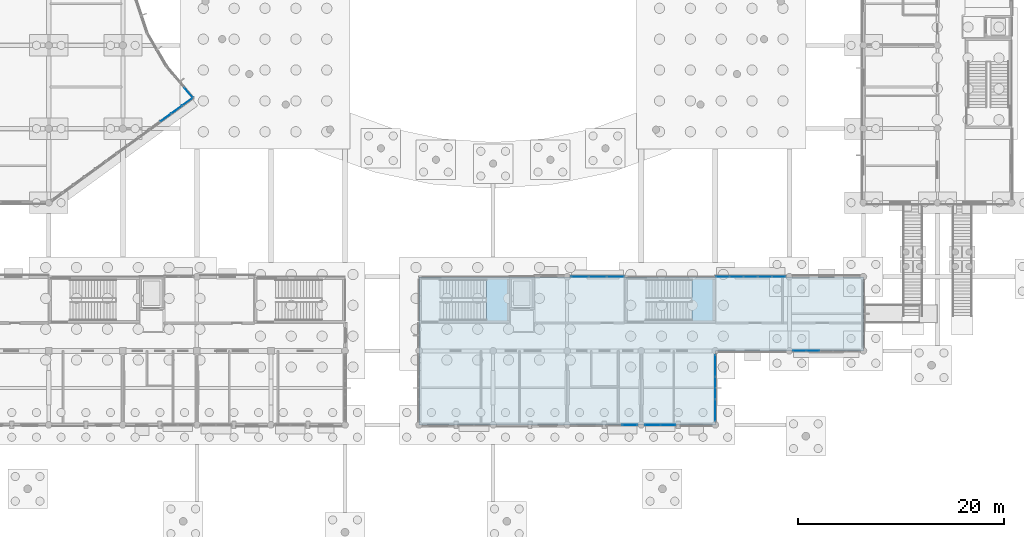
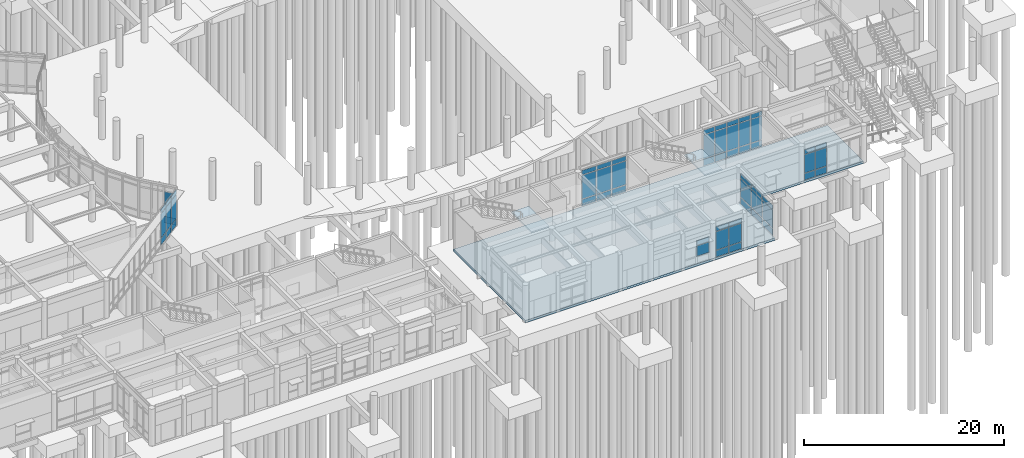
# One storey, part 44 of 103: 58 plates, 3 slabs, 10 elements without a shape of their own.
"""IFC4 building model written with IfcOpenShell, lengths in metres."""

from ifc_helpers import new_model, si_unit, direction, frame, origin, origin_2d, place, context, subcontext, project, spatial, polyline, rectangle, outline, extrude, material, layer, layer_set, type_object, element, aggregate, save


model = new_model("IFC4")

# Units and contexts
model_context = context("Model", 3, precision=1e-05, world=origin(), true_north=direction((0.0, 1.0)))
body_context = subcontext(model_context, "Body", "Model", "MODEL_VIEW")
ifc_project = project(units=[si_unit("LENGTHUNIT", "METRE"), si_unit("AREAUNIT", "SQUARE_METRE"), si_unit("VOLUMEUNIT", "CUBIC_METRE"), si_unit("PLANEANGLEUNIT", "RADIAN"), si_unit("MASSUNIT", "GRAM", prefix="KILO")], contexts=[model_context])

# Site, building, storey
site_placement = place(None, origin())
site = spatial("IfcSite", under=ifc_project, at=site_placement, CompositionType="ELEMENT")
building_placement = place(site_placement, origin())
building = spatial("IfcBuilding", under=site, at=building_placement, Name="Namkhue Oval Health Centre", CompositionType="ELEMENT")
storey_placement = place(building_placement, origin())
storey = spatial("IfcBuildingStorey", under=building, at=storey_placement, Name="L00", CompositionType="ELEMENT", Elevation=0.0)

# Curtain wall, plates
ifc_material_1 = material(Name="Anodised aluminium EN AW-6063 T6", Category="aluminium")
ifc_layer_1 = layer(ifc_material_1, 0.159912109375)
ifc_layer_set_1 = layer_set([ifc_layer_1], Name="Anodised aluminium EN AW-6063 T6")
curtain_wall_type_1 = type_object("IfcCurtainWallType", Name="UNITISED CURTAIN WALL M1200", PredefinedType="NOTDEFINED", material=ifc_layer_set_1)
curtain_wall_1_placement = place(storey_placement, origin())
curtain_wall_1 = element("IfcCurtainWall", 1, at=curtain_wall_1_placement, inside=storey, type_object=curtain_wall_type_1, Name="Volume V5 L00 Unitised Curtain Wall 181", PredefinedType="NOTDEFINED")
ifc_material_2 = material(Name="Thermally broken low-E laminated double glazing", Category="glass")
ifc_layer_2 = layer(ifc_material_2, 0.02587890625)
ifc_layer_set_2 = layer_set([ifc_layer_2], Name="Thermally broken low-E laminated double glazing")
plate_type_1 = type_object("IfcPlateType", Name="CURTAIN WALL GLAZED PANEL 26", PredefinedType="CURTAIN_PANEL", material=ifc_layer_set_2)
plate_1_placement = place(storey_placement, frame((130.604248046875, 21.60009765625, 0.06494140625), z_axis=(0.0, 0.0, 1.0), x_axis=(1.0, 0.0, 0.0)))
plate_1 = element("IfcPlate", 2, at=plate_1_placement, type_object=plate_type_1, Name="CW-01 panel 1.1", PredefinedType="CURTAIN_PANEL", context=body_context, shape_type="SweptSolid", body=[
    extrude(rectangle(XDim=1.20849609375, YDim=0.02587890625, at=origin_2d()), origin(), (0.0, 0.0, 1.0), 0.802490234375),
])
plate_2_placement = place(storey_placement, frame((130.604248046875, 21.60009765625, 0.9326171875), z_axis=(0.0, 0.0, 1.0), x_axis=(1.0, 0.0, 0.0)))
plate_2 = element("IfcPlate", 3, at=plate_2_placement, type_object=plate_type_1, Name="CW-01 panel 1.2", PredefinedType="CURTAIN_PANEL", context=body_context, shape_type="SweptSolid", body=[
    extrude(rectangle(XDim=1.20849609375, YDim=0.02587890625, at=origin_2d()), origin(), (0.0, 0.0, 1.0), 2.22998046875),
])
plate_3_placement = place(storey_placement, frame((130.604248046875, 21.60009765625, 3.2275390625), z_axis=(0.0, 0.0, 1.0), x_axis=(1.0, 0.0, 0.0)))
plate_3 = element("IfcPlate", 4, at=plate_3_placement, type_object=plate_type_1, Name="CW-01 panel 1.3", PredefinedType="CURTAIN_PANEL", context=body_context, shape_type="SweptSolid", body=[
    extrude(rectangle(XDim=1.20849609375, YDim=0.02587890625, at=origin_2d()), origin(), (0.0, 0.0, 1.0), 0.552490234375),
])
plate_4_placement = place(storey_placement, frame((131.89404296875, 21.60009765625, 0.06494140625), z_axis=(0.0, 0.0, 1.0), x_axis=(1.0, 0.0, 0.0)))
plate_4 = element("IfcPlate", 5, at=plate_4_placement, type_object=plate_type_1, Name="CW-01 panel 2.1", PredefinedType="CURTAIN_PANEL", context=body_context, shape_type="SweptSolid", body=[
    extrude(rectangle(XDim=1.240966796875, YDim=0.02587890625, at=origin_2d()), origin(), (0.0, 0.0, 1.0), 0.802490234375),
])
plate_5_placement = place(storey_placement, frame((131.89404296875, 21.60009765625, 0.9326171875), z_axis=(0.0, 0.0, 1.0), x_axis=(1.0, 0.0, 0.0)))
plate_5 = element("IfcPlate", 6, at=plate_5_placement, type_object=plate_type_1, Name="CW-01 panel 2.2", PredefinedType="CURTAIN_PANEL", context=body_context, shape_type="SweptSolid", body=[
    extrude(rectangle(XDim=1.240966796875, YDim=0.02587890625, at=origin_2d()), origin(), (0.0, 0.0, 1.0), 2.22998046875),
])
plate_6_placement = place(storey_placement, frame((131.89404296875, 21.60009765625, 3.2275390625), z_axis=(0.0, 0.0, 1.0), x_axis=(1.0, 0.0, 0.0)))
plate_6 = element("IfcPlate", 7, at=plate_6_placement, type_object=plate_type_1, Name="CW-01 panel 2.3", PredefinedType="CURTAIN_PANEL", context=body_context, shape_type="SweptSolid", body=[
    extrude(rectangle(XDim=1.240966796875, YDim=0.02587890625, at=origin_2d()), origin(), (0.0, 0.0, 1.0), 0.552490234375),
])
aggregate(curtain_wall_1, [plate_1, plate_2, plate_3, plate_4, plate_5, plate_6])

ifc_layer_3 = layer(ifc_material_1, 0.159912109375)
ifc_layer_set_3 = layer_set([ifc_layer_3], Name="Anodised aluminium EN AW-6063 T6")
curtain_wall_type_2 = type_object("IfcCurtainWallType", Name="UNITISED CURTAIN WALL M1350", PredefinedType="NOTDEFINED", material=ifc_layer_set_3)
curtain_wall_2_placement = place(storey_placement, origin())
curtain_wall_2 = element("IfcCurtainWall", 8, at=curtain_wall_2_placement, inside=storey, type_object=curtain_wall_type_2, Name="Volume V1 L00 Unitised Curtain Wall 2", PredefinedType="NOTDEFINED")
ifc_layer_4 = layer(ifc_material_2, 0.028076171875)
ifc_layer_set_4 = layer_set([ifc_layer_4], Name="Thermally broken low-E laminated double glazing")
plate_type_2 = type_object("IfcPlateType", Name="CURTAIN WALL GLAZED PANEL 28", PredefinedType="CURTAIN_PANEL", material=ifc_layer_set_4)
plate_7_placement = place(storey_placement, frame((68.974365234375, 44.27880859375, 0.074951171875), z_axis=(0.0, 0.0, 1.0), x_axis=(0.808513999682, 0.588476942894, 0.0)))
plate_7 = element("IfcPlate", 9, at=plate_7_placement, type_object=plate_type_2, Name="CW-02 panel 11.1", PredefinedType="CURTAIN_PANEL", context=body_context, shape_type="SweptSolid", body=[
    extrude(rectangle(XDim=1.23291015625, YDim=0.028076171875, at=origin_2d()), origin(), (0.0, 0.0, 1.0), 0.78759765625),
])
plate_8_placement = place(storey_placement, frame((68.974365234375, 44.27880859375, 0.9375), z_axis=(0.0, 0.0, 1.0), x_axis=(0.808513999682, 0.588476942894, 0.0)))
plate_8 = element("IfcPlate", 10, at=plate_8_placement, type_object=plate_type_2, Name="CW-02 panel 11.2", PredefinedType="CURTAIN_PANEL", context=body_context, shape_type="SweptSolid", body=[
    extrude(rectangle(XDim=1.23291015625, YDim=0.028076171875, at=origin_2d()), origin(), (0.0, 0.0, 1.0), 2.93994140625),
])
plate_9_placement = place(storey_placement, frame((68.974365234375, 44.27880859375, 3.952392578125), z_axis=(0.0, 0.0, 1.0), x_axis=(0.808513999682, 0.588476942894, 0.0)))
plate_9 = element("IfcPlate", 11, at=plate_9_placement, type_object=plate_type_2, Name="CW-02 panel 11.3", PredefinedType="CURTAIN_PANEL", context=body_context, shape_type="SweptSolid", body=[
    extrude(rectangle(XDim=1.23291015625, YDim=0.028076171875, at=origin_2d()), origin(), (0.0, 0.0, 1.0), 0.53759765625),
])
plate_10_placement = place(storey_placement, frame((70.03173828125, 45.048583984375, 0.074951171875), z_axis=(0.0, 0.0, 1.0), x_axis=(0.808513999682, 0.588476942894, 0.0)))
plate_10 = element("IfcPlate", 12, at=plate_10_placement, type_object=plate_type_2, Name="CW-02 panel 12.1", PredefinedType="CURTAIN_PANEL", context=body_context, shape_type="SweptSolid", body=[
    extrude(rectangle(XDim=1.23291015625, YDim=0.028076171875, at=origin_2d()), origin(), (0.0, 0.0, 1.0), 0.78759765625),
])
plate_11_placement = place(storey_placement, frame((70.03173828125, 45.048583984375, 0.9375), z_axis=(0.0, 0.0, 1.0), x_axis=(0.808513999682, 0.588476942894, 0.0)))
plate_11 = element("IfcPlate", 13, at=plate_11_placement, type_object=plate_type_2, Name="CW-02 panel 12.2", PredefinedType="CURTAIN_PANEL", context=body_context, shape_type="SweptSolid", body=[
    extrude(rectangle(XDim=1.23291015625, YDim=0.028076171875, at=origin_2d()), origin(), (0.0, 0.0, 1.0), 2.93994140625),
])
plate_12_placement = place(storey_placement, frame((70.03173828125, 45.048583984375, 3.952392578125), z_axis=(0.0, 0.0, 1.0), x_axis=(0.808513999682, 0.588476942894, 0.0)))
plate_12 = element("IfcPlate", 14, at=plate_12_placement, type_object=plate_type_2, Name="CW-02 panel 12.3", PredefinedType="CURTAIN_PANEL", context=body_context, shape_type="SweptSolid", body=[
    extrude(rectangle(XDim=1.23291015625, YDim=0.028076171875, at=origin_2d()), origin(), (0.0, 0.0, 1.0), 0.53759765625),
])
plate_13_placement = place(storey_placement, frame((71.07421875, 45.80712890625, 0.074951171875), z_axis=(0.0, 0.0, 1.0), x_axis=(0.808513999682, 0.588476942894, 0.0)))
plate_13 = element("IfcPlate", 15, at=plate_13_placement, type_object=plate_type_2, Name="CW-02 panel 13.1", PredefinedType="CURTAIN_PANEL", context=body_context, shape_type="SweptSolid", body=[
    extrude(rectangle(XDim=1.1953125, YDim=0.028076171875, at=origin_2d()), origin(), (0.0, 0.0, 1.0), 0.78759765625),
])
plate_14_placement = place(storey_placement, frame((71.07421875, 45.80712890625, 0.9375), z_axis=(0.0, 0.0, 1.0), x_axis=(0.808513999682, 0.588476942894, 0.0)))
plate_14 = element("IfcPlate", 16, at=plate_14_placement, type_object=plate_type_2, Name="CW-02 panel 13.2", PredefinedType="CURTAIN_PANEL", context=body_context, shape_type="SweptSolid", body=[
    extrude(rectangle(XDim=1.1953125, YDim=0.028076171875, at=origin_2d()), origin(), (0.0, 0.0, 1.0), 2.93994140625),
])
plate_15_placement = place(storey_placement, frame((71.07421875, 45.80712890625, 3.952392578125), z_axis=(0.0, 0.0, 1.0), x_axis=(0.808513999682, 0.588476942894, 0.0)))
plate_15 = element("IfcPlate", 17, at=plate_15_placement, type_object=plate_type_2, Name="CW-02 panel 13.3", PredefinedType="CURTAIN_PANEL", context=body_context, shape_type="SweptSolid", body=[
    extrude(rectangle(XDim=1.1953125, YDim=0.028076171875, at=origin_2d()), origin(), (0.0, 0.0, 1.0), 0.53759765625),
])
aggregate(curtain_wall_2, [plate_7, plate_8, plate_9, plate_10, plate_11, plate_12, plate_13, plate_14, plate_15])

ifc_layer_5 = layer(ifc_material_1, 0.159912109375)
ifc_layer_set_5 = layer_set([ifc_layer_5], Name="Anodised aluminium EN AW-6063 T6")
curtain_wall_type_3 = type_object("IfcCurtainWallType", Name="UNITISED CURTAIN WALL M1600", PredefinedType="NOTDEFINED", material=ifc_layer_set_5)
curtain_wall_3_placement = place(storey_placement, origin())
curtain_wall_3 = element("IfcCurtainWall", 18, at=curtain_wall_3_placement, inside=storey, type_object=curtain_wall_type_3, Name="Volume V5 L00 Unitised Curtain Wall 178", PredefinedType="NOTDEFINED")
plate_16_placement = place(storey_placement, frame((114.082763671875, 14.39990234375, 0.9375), z_axis=(0.0, 0.0, 1.0), x_axis=(1.0, 0.0, 0.0)))
plate_16 = element("IfcPlate", 19, at=plate_16_placement, type_object=plate_type_2, Name="CW-04 panel 2.2", PredefinedType="CURTAIN_PANEL", context=body_context, shape_type="SweptSolid", body=[
    extrude(rectangle(XDim=1.41455078125, YDim=0.028076171875, at=origin_2d()), origin(), (0.0, 0.0, 1.0), 1.27490234375),
])
plate_17_placement = place(storey_placement, frame((114.082763671875, 14.39990234375, 2.287353515625), z_axis=(0.0, 0.0, 1.0), x_axis=(1.0, 0.0, 0.0)))
plate_17 = element("IfcPlate", 20, at=plate_17_placement, type_object=plate_type_2, Name="CW-04 panel 2.3", PredefinedType="CURTAIN_PANEL", context=body_context, shape_type="SweptSolid", body=[
    extrude(rectangle(XDim=1.41455078125, YDim=0.028076171875, at=origin_2d()), origin(), (0.0, 0.0, 1.0), 0.53759765625),
])
aggregate(curtain_wall_3, [plate_16, plate_17])

ifc_layer_6 = layer(ifc_material_1, 0.159912109375)
ifc_layer_set_6 = layer_set([ifc_layer_6], Name="Anodised aluminium EN AW-6063 T6")
curtain_wall_type_4 = type_object("IfcCurtainWallType", Name="UNITISED CURTAIN WALL M1500", PredefinedType="NOTDEFINED", material=ifc_layer_set_6)
curtain_wall_4_placement = place(storey_placement, origin())
curtain_wall_4 = element("IfcCurtainWall", 21, at=curtain_wall_4_placement, inside=storey, type_object=curtain_wall_type_4, Name="Volume V1 L00 Unitised Curtain Wall 3", PredefinedType="NOTDEFINED")
ifc_material_3 = material(Name="Insulated anodised aluminium spandrel panel", Category="aluminium")
ifc_layer_7 = layer(ifc_material_3, 0.031982421875)
ifc_layer_set_7 = layer_set([ifc_layer_7], Name="Insulated anodised aluminium spandrel panel")
plate_type_3 = type_object("IfcPlateType", Name="CURTAIN WALL SPANDREL PANEL 32", PredefinedType="CURTAIN_PANEL", material=ifc_layer_set_7)
plate_18_placement = place(storey_placement, frame((71.176025390625, 46.721435546875, 0.06494140625), z_axis=(0.0, 0.0, 1.0), x_axis=(-0.648746071067, 0.761004950887, 0.0)))
plate_18 = element("IfcPlate", 22, at=plate_18_placement, type_object=plate_type_3, Name="CW-03 panel 1.1", PredefinedType="CURTAIN_PANEL", context=body_context, shape_type="SweptSolid", body=[
    extrude(rectangle(XDim=1.232666015625, YDim=0.031982421875, at=origin_2d()), origin(), (0.0, 0.0, 1.0), 0.802490234375),
])
plate_19_placement = place(storey_placement, frame((71.176025390625, 46.721435546875, 0.9326171875), z_axis=(0.0, 0.0, 1.0), x_axis=(-0.648746071067, 0.761004950887, 0.0)))
plate_19 = element("IfcPlate", 23, at=plate_19_placement, type_object=plate_type_3, Name="CW-03 panel 1.2", PredefinedType="CURTAIN_PANEL", context=body_context, shape_type="SweptSolid", body=[
    extrude(rectangle(XDim=1.232666015625, YDim=0.031982421875, at=origin_2d()), origin(), (0.0, 0.0, 1.0), 2.949951171875),
])
aggregate(curtain_wall_4, [plate_18, plate_19])

ifc_layer_8 = layer(ifc_material_1, 0.159912109375)
ifc_layer_set_8 = layer_set([ifc_layer_8], Name="Anodised aluminium EN AW-6063 T6")
curtain_wall_type_5 = type_object("IfcCurtainWallType", Name="UNITISED CURTAIN WALL M1800", PredefinedType="NOTDEFINED", material=ifc_layer_set_8)
curtain_wall_5_placement = place(storey_placement, origin())
curtain_wall_5 = element("IfcCurtainWall", 24, at=curtain_wall_5_placement, inside=storey, type_object=curtain_wall_type_5, Name="Volume V5 L00 Unitised Curtain Wall 179", PredefinedType="NOTDEFINED")
plate_20_placement = place(storey_placement, frame((116.314697265625, 14.39990234375, 0.06494140625), z_axis=(0.0, 0.0, 1.0), x_axis=(1.0, 0.0, 0.0)))
plate_20 = element("IfcPlate", 25, at=plate_20_placement, type_object=plate_type_3, Name="CW-05 panel 1.1", PredefinedType="CURTAIN_PANEL", context=body_context, shape_type="SweptSolid", body=[
    extrude(rectangle(XDim=1.429443359375, YDim=0.031982421875, at=origin_2d()), origin(), (0.0, 0.0, 1.0), 0.802490234375),
])
plate_21_placement = place(storey_placement, frame((116.314697265625, 14.39990234375, 0.9326171875), z_axis=(0.0, 0.0, 1.0), x_axis=(1.0, 0.0, 0.0)))
plate_21 = element("IfcPlate", 26, at=plate_21_placement, type_object=plate_type_3, Name="CW-05 panel 1.2", PredefinedType="CURTAIN_PANEL", context=body_context, shape_type="SweptSolid", body=[
    extrude(rectangle(XDim=1.429443359375, YDim=0.031982421875, at=origin_2d()), origin(), (0.0, 0.0, 1.0), 2.22998046875),
])
plate_22_placement = place(storey_placement, frame((116.314697265625, 14.39990234375, 3.2275390625), z_axis=(0.0, 0.0, 1.0), x_axis=(1.0, 0.0, 0.0)))
plate_22 = element("IfcPlate", 27, at=plate_22_placement, type_object=plate_type_3, Name="CW-05 panel 1.3", PredefinedType="CURTAIN_PANEL", context=body_context, shape_type="SweptSolid", body=[
    extrude(rectangle(XDim=1.429443359375, YDim=0.031982421875, at=origin_2d()), origin(), (0.0, 0.0, 1.0), 0.552490234375),
])
plate_23_placement = place(storey_placement, frame((117.809326171875, 14.39990234375, 0.06494140625), z_axis=(0.0, 0.0, 1.0), x_axis=(1.0, 0.0, 0.0)))
plate_23 = element("IfcPlate", 28, at=plate_23_placement, type_object=plate_type_3, Name="CW-05 panel 2.1", PredefinedType="CURTAIN_PANEL", context=body_context, shape_type="SweptSolid", body=[
    extrude(rectangle(XDim=1.429443359375, YDim=0.031982421875, at=origin_2d()), origin(), (0.0, 0.0, 1.0), 0.802490234375),
])
plate_24_placement = place(storey_placement, frame((117.809326171875, 14.39990234375, 0.9326171875), z_axis=(0.0, 0.0, 1.0), x_axis=(1.0, 0.0, 0.0)))
plate_24 = element("IfcPlate", 29, at=plate_24_placement, type_object=plate_type_3, Name="CW-05 panel 2.2", PredefinedType="CURTAIN_PANEL", context=body_context, shape_type="SweptSolid", body=[
    extrude(rectangle(XDim=1.429443359375, YDim=0.031982421875, at=origin_2d()), origin(), (0.0, 0.0, 1.0), 2.22998046875),
])
plate_25_placement = place(storey_placement, frame((117.809326171875, 14.39990234375, 3.2275390625), z_axis=(0.0, 0.0, 1.0), x_axis=(1.0, 0.0, 0.0)))
plate_25 = element("IfcPlate", 30, at=plate_25_placement, type_object=plate_type_3, Name="CW-05 panel 2.3", PredefinedType="CURTAIN_PANEL", context=body_context, shape_type="SweptSolid", body=[
    extrude(rectangle(XDim=1.429443359375, YDim=0.031982421875, at=origin_2d()), origin(), (0.0, 0.0, 1.0), 0.552490234375),
])
aggregate(curtain_wall_5, [plate_20, plate_21, plate_22, plate_23, plate_24, plate_25])

curtain_wall_6_placement = place(storey_placement, origin())
curtain_wall_6 = element("IfcCurtainWall", 31, at=curtain_wall_6_placement, inside=storey, type_object=curtain_wall_type_4, Name="Volume V5 L00 Unitised Curtain Wall 183", PredefinedType="NOTDEFINED")
plate_26_placement = place(storey_placement, frame((128.56396484375, 28.800048828125, 0.06494140625), z_axis=(0.0, 0.0, 1.0), x_axis=(-1.0, 0.0, 0.0)))
plate_26 = element("IfcPlate", 32, at=plate_26_placement, type_object=plate_type_3, Name="CW-03 panel 1.1", PredefinedType="CURTAIN_PANEL", context=body_context, shape_type="SweptSolid", body=[
    extrude(rectangle(XDim=1.272216796875, YDim=0.031982421875, at=origin_2d()), origin(), (0.0, 0.0, 1.0), 0.802490234375),
])
plate_27_placement = place(storey_placement, frame((128.56396484375, 28.800048828125, 0.9326171875), z_axis=(0.0, 0.0, 1.0), x_axis=(-1.0, 0.0, 0.0)))
plate_27 = element("IfcPlate", 33, at=plate_27_placement, type_object=plate_type_3, Name="CW-03 panel 1.2", PredefinedType="CURTAIN_PANEL", context=body_context, shape_type="SweptSolid", body=[
    extrude(rectangle(XDim=1.272216796875, YDim=0.031982421875, at=origin_2d()), origin(), (0.0, 0.0, 1.0), 2.8798828125),
])
plate_28_placement = place(storey_placement, frame((128.56396484375, 28.800048828125, 3.87744140625), z_axis=(0.0, 0.0, 1.0), x_axis=(-1.0, 0.0, 0.0)))
plate_28 = element("IfcPlate", 34, at=plate_28_placement, type_object=plate_type_3, Name="CW-03 panel 1.3", PredefinedType="CURTAIN_PANEL", context=body_context, shape_type="SweptSolid", body=[
    extrude(rectangle(XDim=1.272216796875, YDim=0.031982421875, at=origin_2d()), origin(), (0.0, 0.0, 1.0), 0.552490234375),
])
plate_29_placement = place(storey_placement, frame((127.210693359375, 28.800048828125, 0.06494140625), z_axis=(0.0, 0.0, 1.0), x_axis=(-1.0, 0.0, 0.0)))
plate_29 = element("IfcPlate", 35, at=plate_29_placement, type_object=plate_type_3, Name="CW-03 panel 2.1", PredefinedType="CURTAIN_PANEL", context=body_context, shape_type="SweptSolid", body=[
    extrude(rectangle(XDim=1.3046875, YDim=0.031982421875, at=origin_2d()), origin(), (0.0, 0.0, 1.0), 0.802490234375),
])
plate_30_placement = place(storey_placement, frame((127.210693359375, 28.800048828125, 0.9326171875), z_axis=(0.0, 0.0, 1.0), x_axis=(-1.0, 0.0, 0.0)))
plate_30 = element("IfcPlate", 36, at=plate_30_placement, type_object=plate_type_3, Name="CW-03 panel 2.2", PredefinedType="CURTAIN_PANEL", context=body_context, shape_type="SweptSolid", body=[
    extrude(rectangle(XDim=1.3046875, YDim=0.031982421875, at=origin_2d()), origin(), (0.0, 0.0, 1.0), 2.8798828125),
])
plate_31_placement = place(storey_placement, frame((127.210693359375, 28.800048828125, 3.87744140625), z_axis=(0.0, 0.0, 1.0), x_axis=(-1.0, 0.0, 0.0)))
plate_31 = element("IfcPlate", 37, at=plate_31_placement, type_object=plate_type_3, Name="CW-03 panel 2.3", PredefinedType="CURTAIN_PANEL", context=body_context, shape_type="SweptSolid", body=[
    extrude(rectangle(XDim=1.3046875, YDim=0.031982421875, at=origin_2d()), origin(), (0.0, 0.0, 1.0), 0.552490234375),
])
plate_32_placement = place(storey_placement, frame((125.841064453125, 28.800048828125, 0.06494140625), z_axis=(0.0, 0.0, 1.0), x_axis=(-1.0, 0.0, 0.0)))
plate_32 = element("IfcPlate", 38, at=plate_32_placement, type_object=plate_type_3, Name="CW-03 panel 3.1", PredefinedType="CURTAIN_PANEL", context=body_context, shape_type="SweptSolid", body=[
    extrude(rectangle(XDim=1.3046875, YDim=0.031982421875, at=origin_2d()), origin(), (0.0, 0.0, 1.0), 0.802490234375),
])
plate_33_placement = place(storey_placement, frame((125.841064453125, 28.800048828125, 0.9326171875), z_axis=(0.0, 0.0, 1.0), x_axis=(-1.0, 0.0, 0.0)))
plate_33 = element("IfcPlate", 39, at=plate_33_placement, type_object=plate_type_3, Name="CW-03 panel 3.2", PredefinedType="CURTAIN_PANEL", context=body_context, shape_type="SweptSolid", body=[
    extrude(rectangle(XDim=1.3046875, YDim=0.031982421875, at=origin_2d()), origin(), (0.0, 0.0, 1.0), 2.8798828125),
])
plate_34_placement = place(storey_placement, frame((125.841064453125, 28.800048828125, 3.87744140625), z_axis=(0.0, 0.0, 1.0), x_axis=(-1.0, 0.0, 0.0)))
plate_34 = element("IfcPlate", 40, at=plate_34_placement, type_object=plate_type_3, Name="CW-03 panel 3.3", PredefinedType="CURTAIN_PANEL", context=body_context, shape_type="SweptSolid", body=[
    extrude(rectangle(XDim=1.3046875, YDim=0.031982421875, at=origin_2d()), origin(), (0.0, 0.0, 1.0), 0.552490234375),
])
plate_35_placement = place(storey_placement, frame((124.471435546875, 28.800048828125, 0.06494140625), z_axis=(0.0, 0.0, 1.0), x_axis=(-1.0, 0.0, 0.0)))
plate_35 = element("IfcPlate", 41, at=plate_35_placement, type_object=plate_type_3, Name="CW-03 panel 4.1", PredefinedType="CURTAIN_PANEL", context=body_context, shape_type="SweptSolid", body=[
    extrude(rectangle(XDim=1.3046875, YDim=0.031982421875, at=origin_2d()), origin(), (0.0, 0.0, 1.0), 0.802490234375),
])
plate_36_placement = place(storey_placement, frame((124.471435546875, 28.800048828125, 0.9326171875), z_axis=(0.0, 0.0, 1.0), x_axis=(-1.0, 0.0, 0.0)))
plate_36 = element("IfcPlate", 42, at=plate_36_placement, type_object=plate_type_3, Name="CW-03 panel 4.2", PredefinedType="CURTAIN_PANEL", context=body_context, shape_type="SweptSolid", body=[
    extrude(rectangle(XDim=1.3046875, YDim=0.031982421875, at=origin_2d()), origin(), (0.0, 0.0, 1.0), 2.8798828125),
])
plate_37_placement = place(storey_placement, frame((124.471435546875, 28.800048828125, 3.87744140625), z_axis=(0.0, 0.0, 1.0), x_axis=(-1.0, 0.0, 0.0)))
plate_37 = element("IfcPlate", 43, at=plate_37_placement, type_object=plate_type_3, Name="CW-03 panel 4.3", PredefinedType="CURTAIN_PANEL", context=body_context, shape_type="SweptSolid", body=[
    extrude(rectangle(XDim=1.3046875, YDim=0.031982421875, at=origin_2d()), origin(), (0.0, 0.0, 1.0), 0.552490234375),
])
plate_38_placement = place(storey_placement, frame((123.1181640625, 28.800048828125, 0.06494140625), z_axis=(0.0, 0.0, 1.0), x_axis=(-1.0, 0.0, 0.0)))
plate_38 = element("IfcPlate", 44, at=plate_38_placement, type_object=plate_type_3, Name="CW-03 panel 5.1", PredefinedType="CURTAIN_PANEL", context=body_context, shape_type="SweptSolid", body=[
    extrude(rectangle(XDim=1.272216796875, YDim=0.031982421875, at=origin_2d()), origin(), (0.0, 0.0, 1.0), 0.802490234375),
])
plate_39_placement = place(storey_placement, frame((123.1181640625, 28.800048828125, 0.9326171875), z_axis=(0.0, 0.0, 1.0), x_axis=(-1.0, 0.0, 0.0)))
plate_39 = element("IfcPlate", 45, at=plate_39_placement, type_object=plate_type_3, Name="CW-03 panel 5.2", PredefinedType="CURTAIN_PANEL", context=body_context, shape_type="SweptSolid", body=[
    extrude(rectangle(XDim=1.272216796875, YDim=0.031982421875, at=origin_2d()), origin(), (0.0, 0.0, 1.0), 2.8798828125),
])
plate_40_placement = place(storey_placement, frame((123.1181640625, 28.800048828125, 3.87744140625), z_axis=(0.0, 0.0, 1.0), x_axis=(-1.0, 0.0, 0.0)))
plate_40 = element("IfcPlate", 46, at=plate_40_placement, type_object=plate_type_3, Name="CW-03 panel 5.3", PredefinedType="CURTAIN_PANEL", context=body_context, shape_type="SweptSolid", body=[
    extrude(rectangle(XDim=1.272216796875, YDim=0.031982421875, at=origin_2d()), origin(), (0.0, 0.0, 1.0), 0.552490234375),
])
aggregate(curtain_wall_6, [plate_26, plate_27, plate_28, plate_29, plate_30, plate_31, plate_32, plate_33, plate_34, plate_35, plate_36, plate_37, plate_38, plate_39, plate_40])

ifc_layer_9 = layer(ifc_material_1, 0.159912109375)
ifc_layer_set_9 = layer_set([ifc_layer_9], Name="Anodised aluminium EN AW-6063 T6")
curtain_wall_type_6 = type_object("IfcCurtainWallType", Name="UNITISED CURTAIN WALL M2000", PredefinedType="NOTDEFINED", material=ifc_layer_set_9)
curtain_wall_7_placement = place(storey_placement, origin())
curtain_wall_7 = element("IfcCurtainWall", 47, at=curtain_wall_7_placement, inside=storey, type_object=curtain_wall_type_6, Name="Volume V5 L00 Unitised Curtain Wall 180", PredefinedType="NOTDEFINED")
ifc_layer_10 = layer(ifc_material_3, 0.035888671875)
ifc_layer_set_10 = layer_set([ifc_layer_10], Name="Insulated anodised aluminium spandrel panel")
plate_type_4 = type_object("IfcPlateType", Name="CURTAIN WALL SPANDREL PANEL 36", PredefinedType="CURTAIN_PANEL", material=ifc_layer_set_10)
plate_41_placement = place(storey_placement, frame((122.39990234375, 15.842041015625, 0.074951171875), z_axis=(0.0, 0.0, 1.0), x_axis=(0.0, 1.0, 0.0)))
plate_41 = element("IfcPlate", 48, at=plate_41_placement, type_object=plate_type_4, Name="CW-06 panel 1.1", PredefinedType="CURTAIN_PANEL", context=body_context, shape_type="SweptSolid", body=[
    extrude(rectangle(XDim=2.064208984375, YDim=0.035888671875, at=origin_2d()), origin(), (0.0, 0.0, 1.0), 0.78759765625),
])
plate_42_placement = place(storey_placement, frame((122.39990234375, 15.842041015625, 0.9375), z_axis=(0.0, 0.0, 1.0), x_axis=(0.0, 1.0, 0.0)))
plate_42 = element("IfcPlate", 49, at=plate_42_placement, type_object=plate_type_4, Name="CW-06 panel 1.2", PredefinedType="CURTAIN_PANEL", context=body_context, shape_type="SweptSolid", body=[
    extrude(rectangle(XDim=2.064208984375, YDim=0.035888671875, at=origin_2d()), origin(), (0.0, 0.0, 1.0), 2.219970703125),
])
plate_43_placement = place(storey_placement, frame((122.39990234375, 15.842041015625, 3.232421875), z_axis=(0.0, 0.0, 1.0), x_axis=(0.0, 1.0, 0.0)))
plate_43 = element("IfcPlate", 50, at=plate_43_placement, type_object=plate_type_4, Name="CW-06 panel 1.3", PredefinedType="CURTAIN_PANEL", context=body_context, shape_type="SweptSolid", body=[
    extrude(rectangle(XDim=2.064208984375, YDim=0.035888671875, at=origin_2d()), origin(), (0.0, 0.0, 1.0), 0.53759765625),
])
plate_44_placement = place(storey_placement, frame((122.39990234375, 18.0, 0.074951171875), z_axis=(0.0, 0.0, 1.0), x_axis=(0.0, 1.0, 0.0)))
plate_44 = element("IfcPlate", 51, at=plate_44_placement, type_object=plate_type_4, Name="CW-06 panel 2.1", PredefinedType="CURTAIN_PANEL", context=body_context, shape_type="SweptSolid", body=[
    extrude(rectangle(XDim=2.1015625, YDim=0.035888671875, at=origin_2d()), origin(), (0.0, 0.0, 1.0), 0.78759765625),
])
plate_45_placement = place(storey_placement, frame((122.39990234375, 18.0, 0.9375), z_axis=(0.0, 0.0, 1.0), x_axis=(0.0, 1.0, 0.0)))
plate_45 = element("IfcPlate", 52, at=plate_45_placement, type_object=plate_type_4, Name="CW-06 panel 2.2", PredefinedType="CURTAIN_PANEL", context=body_context, shape_type="SweptSolid", body=[
    extrude(rectangle(XDim=2.1015625, YDim=0.035888671875, at=origin_2d()), origin(), (0.0, 0.0, 1.0), 2.219970703125),
])
plate_46_placement = place(storey_placement, frame((122.39990234375, 18.0, 3.232421875), z_axis=(0.0, 0.0, 1.0), x_axis=(0.0, 1.0, 0.0)))
plate_46 = element("IfcPlate", 53, at=plate_46_placement, type_object=plate_type_4, Name="CW-06 panel 2.3", PredefinedType="CURTAIN_PANEL", context=body_context, shape_type="SweptSolid", body=[
    extrude(rectangle(XDim=2.1015625, YDim=0.035888671875, at=origin_2d()), origin(), (0.0, 0.0, 1.0), 0.53759765625),
])
plate_47_placement = place(storey_placement, frame((122.39990234375, 20.157958984375, 0.074951171875), z_axis=(0.0, 0.0, 1.0), x_axis=(0.0, 1.0, 0.0)))
plate_47 = element("IfcPlate", 54, at=plate_47_placement, type_object=plate_type_4, Name="CW-06 panel 3.1", PredefinedType="CURTAIN_PANEL", context=body_context, shape_type="SweptSolid", body=[
    extrude(rectangle(XDim=2.064208984375, YDim=0.035888671875, at=origin_2d()), origin(), (0.0, 0.0, 1.0), 0.78759765625),
])
plate_48_placement = place(storey_placement, frame((122.39990234375, 20.157958984375, 0.9375), z_axis=(0.0, 0.0, 1.0), x_axis=(0.0, 1.0, 0.0)))
plate_48 = element("IfcPlate", 55, at=plate_48_placement, type_object=plate_type_4, Name="CW-06 panel 3.2", PredefinedType="CURTAIN_PANEL", context=body_context, shape_type="SweptSolid", body=[
    extrude(rectangle(XDim=2.064208984375, YDim=0.035888671875, at=origin_2d()), origin(), (0.0, 0.0, 1.0), 2.219970703125),
])
plate_49_placement = place(storey_placement, frame((122.39990234375, 20.157958984375, 3.232421875), z_axis=(0.0, 0.0, 1.0), x_axis=(0.0, 1.0, 0.0)))
plate_49 = element("IfcPlate", 56, at=plate_49_placement, type_object=plate_type_4, Name="CW-06 panel 3.3", PredefinedType="CURTAIN_PANEL", context=body_context, shape_type="SweptSolid", body=[
    extrude(rectangle(XDim=2.064208984375, YDim=0.035888671875, at=origin_2d()), origin(), (0.0, 0.0, 1.0), 0.53759765625),
])
aggregate(curtain_wall_7, [plate_41, plate_42, plate_43, plate_44, plate_45, plate_46, plate_47, plate_48, plate_49])

curtain_wall_8_placement = place(storey_placement, origin())
curtain_wall_8 = element("IfcCurtainWall", 57, at=curtain_wall_8_placement, inside=storey, type_object=curtain_wall_type_3, Name="Volume V5 L00 Unitised Curtain Wall 184", PredefinedType="NOTDEFINED")
plate_50_placement = place(storey_placement, frame((112.689697265625, 28.800048828125, 0.074951171875), z_axis=(0.0, 0.0, 1.0), x_axis=(-1.0, 0.0, 0.0)))
plate_50 = element("IfcPlate", 58, at=plate_50_placement, type_object=plate_type_4, Name="CW-04 panel 1.1", PredefinedType="CURTAIN_PANEL", context=body_context, shape_type="SweptSolid", body=[
    extrude(rectangle(XDim=1.63671875, YDim=0.035888671875, at=origin_2d()), origin(), (0.0, 0.0, 1.0), 0.78759765625),
])
plate_51_placement = place(storey_placement, frame((112.689697265625, 28.800048828125, 0.9375), z_axis=(0.0, 0.0, 1.0), x_axis=(-1.0, 0.0, 0.0)))
plate_51 = element("IfcPlate", 59, at=plate_51_placement, type_object=plate_type_4, Name="CW-04 panel 1.2", PredefinedType="CURTAIN_PANEL", context=body_context, shape_type="SweptSolid", body=[
    extrude(rectangle(XDim=1.63671875, YDim=0.035888671875, at=origin_2d()), origin(), (0.0, 0.0, 1.0), 2.8701171875),
])
plate_52_placement = place(storey_placement, frame((112.689697265625, 28.800048828125, 3.882568359375), z_axis=(0.0, 0.0, 1.0), x_axis=(-1.0, 0.0, 0.0)))
plate_52 = element("IfcPlate", 60, at=plate_52_placement, type_object=plate_type_4, Name="CW-04 panel 1.3", PredefinedType="CURTAIN_PANEL", context=body_context, shape_type="SweptSolid", body=[
    extrude(rectangle(XDim=1.63671875, YDim=0.035888671875, at=origin_2d()), origin(), (0.0, 0.0, 1.0), 0.53759765625),
])
plate_53_placement = place(storey_placement, frame((110.958984375, 28.800048828125, 0.074951171875), z_axis=(0.0, 0.0, 1.0), x_axis=(-1.0, 0.0, 0.0)))
plate_53 = element("IfcPlate", 61, at=plate_53_placement, type_object=plate_type_4, Name="CW-04 panel 2.1", PredefinedType="CURTAIN_PANEL", context=body_context, shape_type="SweptSolid", body=[
    extrude(rectangle(XDim=1.67431640625, YDim=0.035888671875, at=origin_2d()), origin(), (0.0, 0.0, 1.0), 0.78759765625),
])
plate_54_placement = place(storey_placement, frame((110.958984375, 28.800048828125, 0.9375), z_axis=(0.0, 0.0, 1.0), x_axis=(-1.0, 0.0, 0.0)))
plate_54 = element("IfcPlate", 62, at=plate_54_placement, type_object=plate_type_4, Name="CW-04 panel 2.2", PredefinedType="CURTAIN_PANEL", context=body_context, shape_type="SweptSolid", body=[
    extrude(rectangle(XDim=1.67431640625, YDim=0.035888671875, at=origin_2d()), origin(), (0.0, 0.0, 1.0), 2.8701171875),
])
plate_55_placement = place(storey_placement, frame((110.958984375, 28.800048828125, 3.882568359375), z_axis=(0.0, 0.0, 1.0), x_axis=(-1.0, 0.0, 0.0)))
plate_55 = element("IfcPlate", 63, at=plate_55_placement, type_object=plate_type_4, Name="CW-04 panel 2.3", PredefinedType="CURTAIN_PANEL", context=body_context, shape_type="SweptSolid", body=[
    extrude(rectangle(XDim=1.67431640625, YDim=0.035888671875, at=origin_2d()), origin(), (0.0, 0.0, 1.0), 0.53759765625),
])
plate_56_placement = place(storey_placement, frame((109.228515625, 28.800048828125, 0.074951171875), z_axis=(0.0, 0.0, 1.0), x_axis=(-1.0, 0.0, 0.0)))
plate_56 = element("IfcPlate", 64, at=plate_56_placement, type_object=plate_type_4, Name="CW-04 panel 3.1", PredefinedType="CURTAIN_PANEL", context=body_context, shape_type="SweptSolid", body=[
    extrude(rectangle(XDim=1.63671875, YDim=0.035888671875, at=origin_2d()), origin(), (0.0, 0.0, 1.0), 0.78759765625),
])
plate_57_placement = place(storey_placement, frame((109.228515625, 28.800048828125, 0.9375), z_axis=(0.0, 0.0, 1.0), x_axis=(-1.0, 0.0, 0.0)))
plate_57 = element("IfcPlate", 65, at=plate_57_placement, type_object=plate_type_4, Name="CW-04 panel 3.2", PredefinedType="CURTAIN_PANEL", context=body_context, shape_type="SweptSolid", body=[
    extrude(rectangle(XDim=1.63671875, YDim=0.035888671875, at=origin_2d()), origin(), (0.0, 0.0, 1.0), 2.8701171875),
])
plate_58_placement = place(storey_placement, frame((109.228515625, 28.800048828125, 3.882568359375), z_axis=(0.0, 0.0, 1.0), x_axis=(-1.0, 0.0, 0.0)))
plate_58 = element("IfcPlate", 66, at=plate_58_placement, type_object=plate_type_4, Name="CW-04 panel 3.3", PredefinedType="CURTAIN_PANEL", context=body_context, shape_type="SweptSolid", body=[
    extrude(rectangle(XDim=1.63671875, YDim=0.035888671875, at=origin_2d()), origin(), (0.0, 0.0, 1.0), 0.53759765625),
])
aggregate(curtain_wall_8, [plate_50, plate_51, plate_52, plate_53, plate_54, plate_55, plate_56, plate_57, plate_58])

# Slab
ifc_material_4 = material(Name="Reinforced concrete C30/37 (TCVN B35)", Category="concrete")
ifc_layer_11 = layer(ifc_material_4, 0.27490234375)
ifc_layer_set_11 = layer_set([ifc_layer_11], Name="Reinforced concrete C30/37 (TCVN B35)")
slab_type_1 = type_object("IfcSlabType", Name="GROUND BASE SLAB 275", PredefinedType="BASESLAB", material=ifc_layer_set_11)
slab_1_placement = place(storey_placement, frame((0.0, 0.0, -0.27490234375)))
element("IfcSlab", 67, at=slab_1_placement, inside=storey, type_object=slab_type_1, Name="Volume V5 L00 Ground Base Slab", PredefinedType="BASESLAB", context=body_context, shape_type="SweptSolid", body=[
    extrude(outline(polyline([(93.60009765625, 14.39990234375), (122.39990234375, 14.39990234375), (122.39990234375, 21.60009765625), (136.800048828125, 21.60009765625), (136.800048828125, 28.800048828125), (93.60009765625, 28.800048828125), (93.60009765625, 14.39990234375)])), origin(), (0.0, 0.0, 1.0), 0.27490234375),
])

# Stair, slab
stair_type = type_object("IfcStairType", Name="DOGLEG EXIT STAIR H4800", PredefinedType="HALF_TURN_STAIR", material=ifc_material_4)
stair_1_placement = place(storey_placement, origin())
stair_1 = element("IfcStair", 68, at=stair_1_placement, inside=storey, type_object=stair_type, Name="Protected Exit Stair ST-09 L00", PredefinedType="HALF_TURN_STAIR")
ifc_layer_12 = layer(ifc_material_4, 0.179931640625)
ifc_layer_set_12 = layer_set([ifc_layer_12], Name="Reinforced concrete C30/37 (TCVN B35)")
slab_type_2 = type_object("IfcSlabType", Name="STAIR LANDING SLAB 180", PredefinedType="LANDING", material=ifc_layer_set_12)
slab_2_placement = place(storey_placement, frame((0.0, 0.0, 2.219970703125)))
slab_2 = element("IfcSlab", 69, at=slab_2_placement, type_object=slab_type_2, Name="ST-09 landing 1", PredefinedType="LANDING", context=body_context, shape_type="SweptSolid", body=[
    extrude(outline(polyline([(100.14501953125, 24.52490234375), (102.175048828125, 24.52490234375), (102.175048828125, 28.574951171875), (100.14501953125, 28.574951171875), (100.14501953125, 24.52490234375)])), origin(), (0.0, 0.0, 1.0), 0.179931640625),
])
aggregate(stair_1, [slab_2])

stair_2_placement = place(storey_placement, origin())
stair_2 = element("IfcStair", 70, at=stair_2_placement, inside=storey, type_object=stair_type, Name="Protected Exit Stair ST-10 L00", PredefinedType="HALF_TURN_STAIR")
slab_3_placement = place(storey_placement, frame((0.0, 0.0, 2.219970703125)))
slab_3 = element("IfcSlab", 71, at=slab_3_placement, type_object=slab_type_2, Name="ST-10 landing 1", PredefinedType="LANDING", context=body_context, shape_type="SweptSolid", body=[
    extrude(outline(polyline([(120.14501953125, 24.52490234375), (122.175048828125, 24.52490234375), (122.175048828125, 28.574951171875), (120.14501953125, 28.574951171875), (120.14501953125, 24.52490234375)])), origin(), (0.0, 0.0, 1.0), 0.179931640625),
])
aggregate(stair_2, [slab_3])

save(model, "model.ifc")
